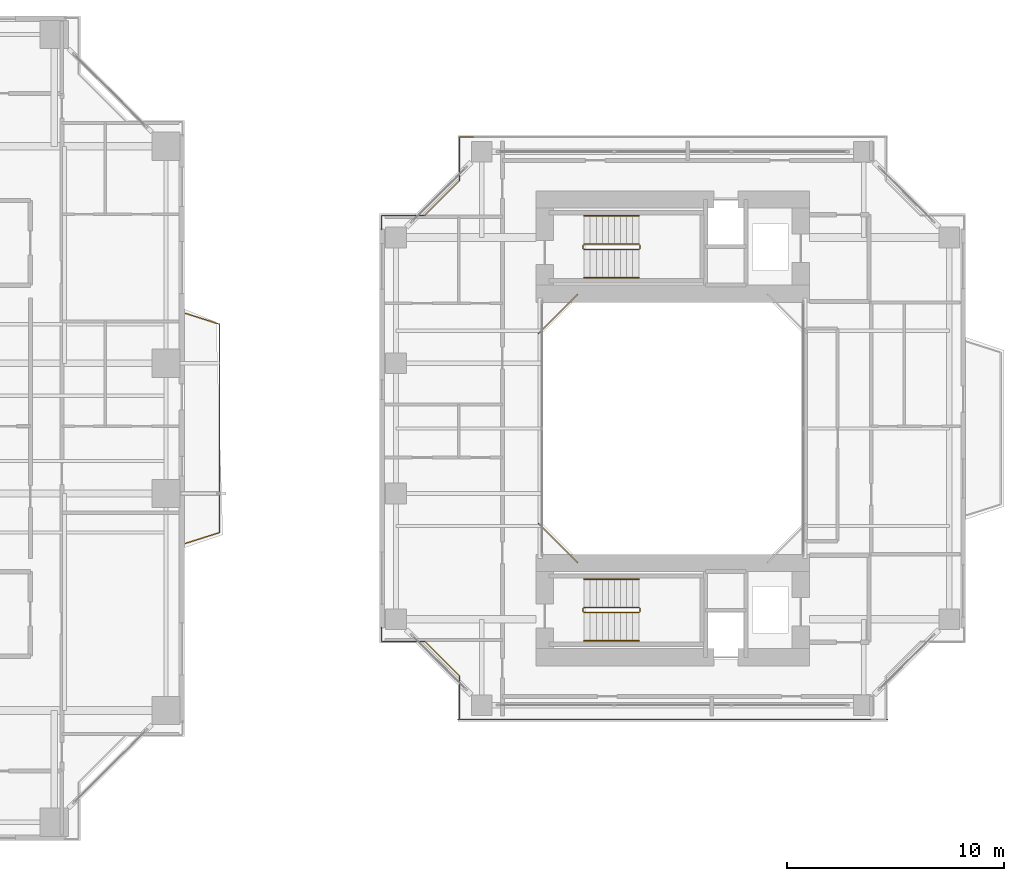
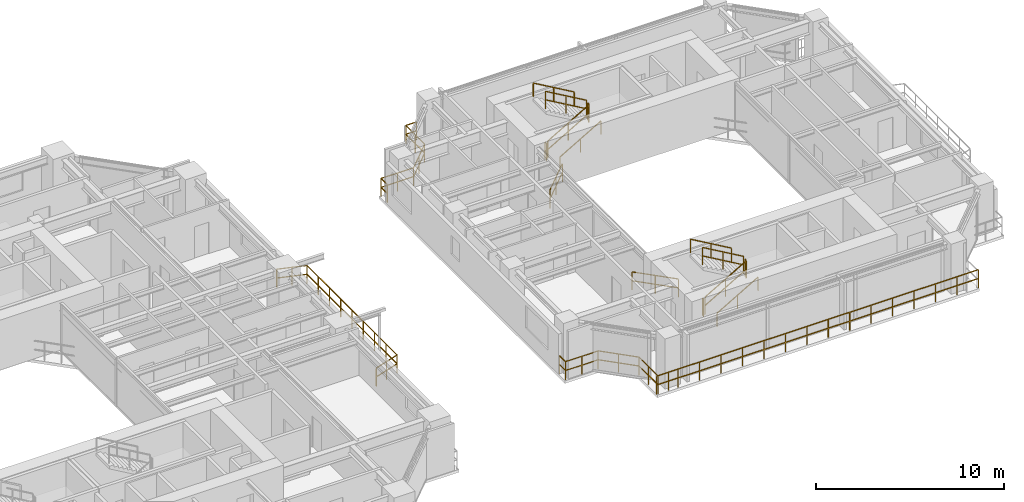
# One storey, part 22 of 23: 18 railings.
"""IFC4 building model written with IfcOpenShell, lengths in metres."""

from ifc_helpers import new_model, si_unit, direction, frame, origin, origin_2d, place, context, subcontext, project, spatial, rectangle, extrude, material, type_object, element, save


model = new_model("IFC4")

# Units and contexts
model_context = context("Model", 3, precision=1e-05, world=origin(), true_north=direction((0.0, 1.0)))
body_context = subcontext(model_context, "Body", "Model", "MODEL_VIEW")
ifc_project = project(units=[si_unit("LENGTHUNIT", "METRE"), si_unit("AREAUNIT", "SQUARE_METRE"), si_unit("VOLUMEUNIT", "CUBIC_METRE"), si_unit("PLANEANGLEUNIT", "RADIAN"), si_unit("MASSUNIT", "GRAM", prefix="KILO"), si_unit("THERMODYNAMICTEMPERATUREUNIT", "KELVIN"), si_unit("POWERUNIT", "WATT")], contexts=[model_context])

# Site, building, storey
site_placement = place(None, origin())
site = spatial("IfcSite", under=ifc_project, at=site_placement, CompositionType="ELEMENT")
building_placement = place(site_placement, origin())
building = spatial("IfcBuilding", under=site, at=building_placement, Name="Qiaomeng Ring Towers", CompositionType="ELEMENT")
storey_placement = place(building_placement, frame((0.0, 0.0, 39.25)))
storey = spatial("IfcBuildingStorey", under=building, at=storey_placement, Name="L10", CompositionType="ELEMENT", Elevation=39.25)

# Railings
ifc_material_1 = material(Name="Low-E pale-green laminated safety glass", Category="glass")
railing_type_1 = type_object("IfcRailingType", Name="ARC-RL-BAL1", PredefinedType="BALUSTRADE", material=ifc_material_1)
railing_1_placement = place(storey_placement, frame((38.050048828125, 17.699951171875, 0.0)))
element("IfcRailing", 1, at=railing_1_placement, inside=storey, type_object=railing_type_1, Name="L10 Balustrade ARC-BAL-L10-T1-E", PredefinedType="BALUSTRADE", context=body_context, shape_type="SweptSolid", body=[
    extrude(rectangle(XDim=0.048095703125, YDim=0.048095703125, at=origin_2d()), frame((0.0, 0.0, 1.17578125), z_axis=(0.952849860715, 0.303442157479, 0.0), x_axis=(-0.303442157479, 0.952849860715, 0.0)), (0.0, 0.0, 1.0), 1.647705078125),
    extrude(rectangle(XDim=0.048095703125, YDim=0.048095703125, at=origin_2d()), frame((0.0, 0.0, 0.60009765625), z_axis=(0.952849860715, 0.303442157479, 0.0), x_axis=(-0.303442157479, 0.952849860715, 0.0)), (0.0, 0.0, 1.0), 1.647705078125),
    extrude(rectangle(XDim=0.048095703125, YDim=0.048095703125, at=origin_2d()), frame((1.570068359375, 0.5, 1.17578125), z_axis=(0.0, 1.0, 0.0), x_axis=(-1.0, 0.0, 0.0)), (0.0, 0.0, 1.0), 9.60009765625),
    extrude(rectangle(XDim=0.048095703125, YDim=0.048095703125, at=origin_2d()), frame((1.570068359375, 0.5, 0.60009765625), z_axis=(0.0, 1.0, 0.0), x_axis=(-1.0, 0.0, 0.0)), (0.0, 0.0, 1.0), 9.60009765625),
    extrude(rectangle(XDim=0.048095703125, YDim=0.048095703125, at=origin_2d()), frame((1.570068359375, 10.10009765625, 1.17578125), z_axis=(-0.952849860715, 0.303442157479, 0.0), x_axis=(-0.303442157479, -0.952849860715, 0.0)), (0.0, 0.0, 1.0), 1.647705078125),
    extrude(rectangle(XDim=0.048095703125, YDim=0.048095703125, at=origin_2d()), frame((1.570068359375, 10.10009765625, 0.60009765625), z_axis=(-0.952849860715, 0.303442157479, 0.0), x_axis=(-0.303442157479, -0.952849860715, 0.0)), (0.0, 0.0, 1.0), 1.647705078125),
    extrude(rectangle(XDim=0.0419921875, YDim=0.0419921875, at=origin_2d()), origin(), (0.0, 0.0, 1.0), 1.15185546875),
    extrude(rectangle(XDim=0.0419921875, YDim=0.0419921875, at=origin_2d()), frame((0.78515625, 0.25, 0.0)), (0.0, 0.0, 1.0), 1.15185546875),
    extrude(rectangle(XDim=0.0419921875, YDim=0.0419921875, at=origin_2d()), frame((1.570068359375, 0.5, 0.0)), (0.0, 0.0, 1.0), 1.15185546875),
    extrude(rectangle(XDim=0.0419921875, YDim=0.0419921875, at=origin_2d()), frame((1.570068359375, 1.699951171875, 0.0)), (0.0, 0.0, 1.0), 1.15185546875),
    extrude(rectangle(XDim=0.0419921875, YDim=0.0419921875, at=origin_2d()), frame((1.570068359375, 2.89990234375, 0.0)), (0.0, 0.0, 1.0), 1.15185546875),
    extrude(rectangle(XDim=0.0419921875, YDim=0.0419921875, at=origin_2d()), frame((1.570068359375, 4.10009765625, 0.0)), (0.0, 0.0, 1.0), 1.15185546875),
    extrude(rectangle(XDim=0.0419921875, YDim=0.0419921875, at=origin_2d()), frame((1.570068359375, 5.300048828125, 0.0)), (0.0, 0.0, 1.0), 1.15185546875),
    extrude(rectangle(XDim=0.0419921875, YDim=0.0419921875, at=origin_2d()), frame((1.570068359375, 6.5, 0.0)), (0.0, 0.0, 1.0), 1.15185546875),
    extrude(rectangle(XDim=0.0419921875, YDim=0.0419921875, at=origin_2d()), frame((1.570068359375, 7.7001953125, 0.0)), (0.0, 0.0, 1.0), 1.15185546875),
    extrude(rectangle(XDim=0.0419921875, YDim=0.0419921875, at=origin_2d()), frame((1.570068359375, 8.900146484375, 0.0)), (0.0, 0.0, 1.0), 1.15185546875),
    extrude(rectangle(XDim=0.0419921875, YDim=0.0419921875, at=origin_2d()), frame((1.570068359375, 10.10009765625, 0.0)), (0.0, 0.0, 1.0), 1.15185546875),
    extrude(rectangle(XDim=0.0419921875, YDim=0.0419921875, at=origin_2d()), frame((0.78515625, 10.35009765625, 0.0)), (0.0, 0.0, 1.0), 1.15185546875),
    extrude(rectangle(XDim=0.0419921875, YDim=0.0419921875, at=origin_2d()), frame((0.0, 10.60009765625, 0.0)), (0.0, 0.0, 1.0), 1.15185546875),
])
railing_2_placement = place(storey_placement, frame((56.1201171875, 29.179931640625, 0.0)))
element("IfcRailing", 2, at=railing_2_placement, inside=storey, type_object=railing_type_1, Name="L10 Balustrade ARC-BAL-WELL2-L10-3", PredefinedType="BALUSTRADE", context=body_context, shape_type="SweptSolid", body=[
    extrude(rectangle(XDim=0.048095703125, YDim=0.048095703125, at=origin_2d()), frame((0.0, 0.0, 1.17578125), z_axis=(-0.707106781187, -0.707106781187, 0.0), x_axis=(0.707106781187, -0.707106781187, 0.0)), (0.0, 0.0, 1.0), 2.545654296875),
    extrude(rectangle(XDim=0.048095703125, YDim=0.048095703125, at=origin_2d()), frame((0.0, 0.0, 0.60009765625), z_axis=(-0.707106781187, -0.707106781187, 0.0), x_axis=(0.707106781187, -0.707106781187, 0.0)), (0.0, 0.0, 1.0), 2.545654296875),
    extrude(rectangle(XDim=0.0419921875, YDim=0.0419921875, at=origin_2d()), origin(), (0.0, 0.0, 1.0), 1.15185546875),
    extrude(rectangle(XDim=0.0419921875, YDim=0.0419921875, at=origin_2d()), frame((-0.89990234375, -0.89990234375, 0.0)), (0.0, 0.0, 1.0), 1.15185546875),
    extrude(rectangle(XDim=0.0419921875, YDim=0.0419921875, at=origin_2d()), frame((-1.800048828125, -1.800048828125, 0.0)), (0.0, 0.0, 1.0), 1.15185546875),
])
railing_3_placement = place(storey_placement, frame((54.320068359375, 18.6201171875, 0.0)))
element("IfcRailing", 3, at=railing_3_placement, inside=storey, type_object=railing_type_1, Name="L10 Balustrade ARC-BAL-WELL2-L10-4", PredefinedType="BALUSTRADE", context=body_context, shape_type="SweptSolid", body=[
    extrude(rectangle(XDim=0.048095703125, YDim=0.048095703125, at=origin_2d()), frame((0.0, 0.0, 1.17578125), z_axis=(0.707106781187, -0.707106781187, 0.0), x_axis=(0.707106781187, 0.707106781187, 0.0)), (0.0, 0.0, 1.0), 2.545654296875),
    extrude(rectangle(XDim=0.048095703125, YDim=0.048095703125, at=origin_2d()), frame((0.0, 0.0, 0.60009765625), z_axis=(0.707106781187, -0.707106781187, 0.0), x_axis=(0.707106781187, 0.707106781187, 0.0)), (0.0, 0.0, 1.0), 2.545654296875),
    extrude(rectangle(XDim=0.0419921875, YDim=0.0419921875, at=origin_2d()), origin(), (0.0, 0.0, 1.0), 1.15185546875),
    extrude(rectangle(XDim=0.0419921875, YDim=0.0419921875, at=origin_2d()), frame((0.89990234375, -0.89990234375, 0.0)), (0.0, 0.0, 1.0), 1.15185546875),
    extrude(rectangle(XDim=0.0419921875, YDim=0.0419921875, at=origin_2d()), frame((1.800048828125, -1.800048828125, 0.0)), (0.0, 0.0, 1.0), 1.15185546875),
])
railing_4_placement = place(storey_placement, frame((51.330078125, 36.419921875, 0.0)))
element("IfcRailing", 4, at=railing_4_placement, inside=storey, type_object=railing_type_1, Name="L10 Balustrade ARC-BAL-NOTCH2-L10-NW", PredefinedType="BALUSTRADE", context=body_context, shape_type="SweptSolid", body=[
    extrude(rectangle(XDim=0.048095703125, YDim=0.048095703125, at=origin_2d()), frame((0.0, 0.0, 1.17578125), z_axis=(-1.0, 0.0, 0.0), x_axis=(0.0, -1.0, 0.0)), (0.0, 0.0, 1.0), 0.650146484375),
    extrude(rectangle(XDim=0.048095703125, YDim=0.048095703125, at=origin_2d()), frame((0.0, 0.0, 0.60009765625), z_axis=(-1.0, 0.0, 0.0), x_axis=(0.0, -1.0, 0.0)), (0.0, 0.0, 1.0), 0.650146484375),
    extrude(rectangle(XDim=0.048095703125, YDim=0.048095703125, at=origin_2d()), frame((-0.650146484375, 0.0, 1.17578125), z_axis=(0.0, -1.0, 0.0), x_axis=(1.0, 0.0, 0.0)), (0.0, 0.0, 1.0), 2.0),
    extrude(rectangle(XDim=0.048095703125, YDim=0.048095703125, at=origin_2d()), frame((-0.650146484375, 0.0, 0.60009765625), z_axis=(0.0, -1.0, 0.0), x_axis=(1.0, 0.0, 0.0)), (0.0, 0.0, 1.0), 2.0),
    extrude(rectangle(XDim=0.048095703125, YDim=0.048095703125, at=origin_2d()), frame((-0.650146484375, -2.0, 1.17578125), z_axis=(-0.707106781187, -0.707106781187, 0.0), x_axis=(0.707106781187, -0.707106781187, 0.0)), (0.0, 0.0, 1.0), 2.262451171875),
    extrude(rectangle(XDim=0.048095703125, YDim=0.048095703125, at=origin_2d()), frame((-0.650146484375, -2.0, 0.60009765625), z_axis=(-0.707106781187, -0.707106781187, 0.0), x_axis=(0.707106781187, -0.707106781187, 0.0)), (0.0, 0.0, 1.0), 2.262451171875),
    extrude(rectangle(XDim=0.048095703125, YDim=0.048095703125, at=origin_2d()), frame((-2.25, -3.599853515625, 1.17578125), z_axis=(-1.0, 0.0, 0.0), x_axis=(0.0, -1.0, 0.0)), (0.0, 0.0, 1.0), 2.0),
    extrude(rectangle(XDim=0.048095703125, YDim=0.048095703125, at=origin_2d()), frame((-2.25, -3.599853515625, 0.60009765625), z_axis=(-1.0, 0.0, 0.0), x_axis=(0.0, -1.0, 0.0)), (0.0, 0.0, 1.0), 2.0),
    extrude(rectangle(XDim=0.048095703125, YDim=0.048095703125, at=origin_2d()), frame((-4.25, -3.599853515625, 1.17578125), z_axis=(0.0, -1.0, 0.0), x_axis=(1.0, 0.0, 0.0)), (0.0, 0.0, 1.0), 0.650146484375),
    extrude(rectangle(XDim=0.048095703125, YDim=0.048095703125, at=origin_2d()), frame((-4.25, -3.599853515625, 0.60009765625), z_axis=(0.0, -1.0, 0.0), x_axis=(1.0, 0.0, 0.0)), (0.0, 0.0, 1.0), 0.650146484375),
    extrude(rectangle(XDim=0.0419921875, YDim=0.0419921875, at=origin_2d()), origin(), (0.0, 0.0, 1.0), 1.15185546875),
    extrude(rectangle(XDim=0.0419921875, YDim=0.0419921875, at=origin_2d()), frame((-0.650146484375, 0.0, 0.0)), (0.0, 0.0, 1.0), 1.15185546875),
    extrude(rectangle(XDim=0.0419921875, YDim=0.0419921875, at=origin_2d()), frame((-0.650146484375, -1.0, 0.0)), (0.0, 0.0, 1.0), 1.15185546875),
    extrude(rectangle(XDim=0.0419921875, YDim=0.0419921875, at=origin_2d()), frame((-0.650146484375, -2.0, 0.0)), (0.0, 0.0, 1.0), 1.15185546875),
    extrude(rectangle(XDim=0.0419921875, YDim=0.0419921875, at=origin_2d()), frame((-1.4501953125, -2.7998046875, 0.0)), (0.0, 0.0, 1.0), 1.15185546875),
    extrude(rectangle(XDim=0.0419921875, YDim=0.0419921875, at=origin_2d()), frame((-2.25, -3.599853515625, 0.0)), (0.0, 0.0, 1.0), 1.15185546875),
    extrude(rectangle(XDim=0.0419921875, YDim=0.0419921875, at=origin_2d()), frame((-3.25, -3.599853515625, 0.0)), (0.0, 0.0, 1.0), 1.15185546875),
    extrude(rectangle(XDim=0.0419921875, YDim=0.0419921875, at=origin_2d()), frame((-4.25, -3.599853515625, 0.0)), (0.0, 0.0, 1.0), 1.15185546875),
    extrude(rectangle(XDim=0.0419921875, YDim=0.0419921875, at=origin_2d()), frame((-4.25, -4.25, 0.0)), (0.0, 0.0, 1.0), 1.15185546875),
])
railing_5_placement = place(storey_placement, frame((47.080078125, 13.830078125, 0.0)))
element("IfcRailing", 5, at=railing_5_placement, inside=storey, type_object=railing_type_1, Name="L10 Balustrade ARC-BAL-NOTCH2-L10-SW", PredefinedType="BALUSTRADE", context=body_context, shape_type="SweptSolid", body=[
    extrude(rectangle(XDim=0.048095703125, YDim=0.048095703125, at=origin_2d()), frame((0.0, 0.0, 1.17578125), z_axis=(0.0, -1.0, 0.0), x_axis=(1.0, 0.0, 0.0)), (0.0, 0.0, 1.0), 0.650146484375),
    extrude(rectangle(XDim=0.048095703125, YDim=0.048095703125, at=origin_2d()), frame((0.0, 0.0, 0.60009765625), z_axis=(0.0, -1.0, 0.0), x_axis=(1.0, 0.0, 0.0)), (0.0, 0.0, 1.0), 0.650146484375),
    extrude(rectangle(XDim=0.048095703125, YDim=0.048095703125, at=origin_2d()), frame((0.0, -0.650146484375, 1.17578125), z_axis=(1.0, 0.0, 0.0), x_axis=(0.0, 1.0, 0.0)), (0.0, 0.0, 1.0), 2.0),
    extrude(rectangle(XDim=0.048095703125, YDim=0.048095703125, at=origin_2d()), frame((0.0, -0.650146484375, 0.60009765625), z_axis=(1.0, 0.0, 0.0), x_axis=(0.0, 1.0, 0.0)), (0.0, 0.0, 1.0), 2.0),
    extrude(rectangle(XDim=0.048095703125, YDim=0.048095703125, at=origin_2d()), frame((2.0, -0.650146484375, 1.17578125), z_axis=(0.707106781187, -0.707106781187, 0.0), x_axis=(0.707106781187, 0.707106781187, 0.0)), (0.0, 0.0, 1.0), 2.262451171875),
    extrude(rectangle(XDim=0.048095703125, YDim=0.048095703125, at=origin_2d()), frame((2.0, -0.650146484375, 0.60009765625), z_axis=(0.707106781187, -0.707106781187, 0.0), x_axis=(0.707106781187, 0.707106781187, 0.0)), (0.0, 0.0, 1.0), 2.262451171875),
    extrude(rectangle(XDim=0.048095703125, YDim=0.048095703125, at=origin_2d()), frame((3.599853515625, -2.25, 1.17578125), z_axis=(0.0, -1.0, 0.0), x_axis=(1.0, 0.0, 0.0)), (0.0, 0.0, 1.0), 2.0),
    extrude(rectangle(XDim=0.048095703125, YDim=0.048095703125, at=origin_2d()), frame((3.599853515625, -2.25, 0.60009765625), z_axis=(0.0, -1.0, 0.0), x_axis=(1.0, 0.0, 0.0)), (0.0, 0.0, 1.0), 2.0),
    extrude(rectangle(XDim=0.048095703125, YDim=0.048095703125, at=origin_2d()), frame((3.599853515625, -4.25, 1.17578125), z_axis=(1.0, 0.0, 0.0), x_axis=(0.0, 1.0, 0.0)), (0.0, 0.0, 1.0), 0.650146484375),
    extrude(rectangle(XDim=0.048095703125, YDim=0.048095703125, at=origin_2d()), frame((3.599853515625, -4.25, 0.60009765625), z_axis=(1.0, 0.0, 0.0), x_axis=(0.0, 1.0, 0.0)), (0.0, 0.0, 1.0), 0.650146484375),
    extrude(rectangle(XDim=0.0419921875, YDim=0.0419921875, at=origin_2d()), origin(), (0.0, 0.0, 1.0), 1.15185546875),
    extrude(rectangle(XDim=0.0419921875, YDim=0.0419921875, at=origin_2d()), frame((0.0, -0.650146484375, 0.0)), (0.0, 0.0, 1.0), 1.15185546875),
    extrude(rectangle(XDim=0.0419921875, YDim=0.0419921875, at=origin_2d()), frame((1.0, -0.650146484375, 0.0)), (0.0, 0.0, 1.0), 1.15185546875),
    extrude(rectangle(XDim=0.0419921875, YDim=0.0419921875, at=origin_2d()), frame((2.0, -0.650146484375, 0.0)), (0.0, 0.0, 1.0), 1.15185546875),
    extrude(rectangle(XDim=0.0419921875, YDim=0.0419921875, at=origin_2d()), frame((2.7998046875, -1.4501953125, 0.0)), (0.0, 0.0, 1.0), 1.15185546875),
    extrude(rectangle(XDim=0.0419921875, YDim=0.0419921875, at=origin_2d()), frame((3.599853515625, -2.25, 0.0)), (0.0, 0.0, 1.0), 1.15185546875),
    extrude(rectangle(XDim=0.0419921875, YDim=0.0419921875, at=origin_2d()), frame((3.599853515625, -3.25, 0.0)), (0.0, 0.0, 1.0), 1.15185546875),
    extrude(rectangle(XDim=0.0419921875, YDim=0.0419921875, at=origin_2d()), frame((3.599853515625, -4.25, 0.0)), (0.0, 0.0, 1.0), 1.15185546875),
    extrude(rectangle(XDim=0.0419921875, YDim=0.0419921875, at=origin_2d()), frame((4.25, -4.25, 0.0)), (0.0, 0.0, 1.0), 1.15185546875),
])
railing_6_placement = place(storey_placement, frame((50.60009765625, 9.580078125, 0.0)))
element("IfcRailing", 6, at=railing_6_placement, inside=storey, type_object=railing_type_1, Name="L10 Balustrade ARC-BAL-T2S-L10", PredefinedType="BALUSTRADE", context=body_context, shape_type="SweptSolid", body=[
    extrude(rectangle(XDim=0.048095703125, YDim=0.048095703125, at=origin_2d()), frame((0.0, 0.0, 1.17578125), z_axis=(1.0, 0.0, 0.0), x_axis=(0.0, 1.0, 0.0)), (0.0, 0.0, 1.0), 19.7998046875),
    extrude(rectangle(XDim=0.048095703125, YDim=0.048095703125, at=origin_2d()), frame((0.0, 0.0, 0.60009765625), z_axis=(1.0, 0.0, 0.0), x_axis=(0.0, 1.0, 0.0)), (0.0, 0.0, 1.0), 19.7998046875),
    extrude(rectangle(XDim=0.0419921875, YDim=0.0419921875, at=origin_2d()), origin(), (0.0, 0.0, 1.0), 1.15185546875),
    extrude(rectangle(XDim=0.0419921875, YDim=0.0419921875, at=origin_2d()), frame((1.320068359375, 0.0, 0.0)), (0.0, 0.0, 1.0), 1.15185546875),
    extrude(rectangle(XDim=0.0419921875, YDim=0.0419921875, at=origin_2d()), frame((2.639892578125, 0.0, 0.0)), (0.0, 0.0, 1.0), 1.15185546875),
    extrude(rectangle(XDim=0.0419921875, YDim=0.0419921875, at=origin_2d()), frame((3.9599609375, 0.0, 0.0)), (0.0, 0.0, 1.0), 1.15185546875),
    extrude(rectangle(XDim=0.0419921875, YDim=0.0419921875, at=origin_2d()), frame((5.280029296875, 0.0, 0.0)), (0.0, 0.0, 1.0), 1.15185546875),
    extrude(rectangle(XDim=0.0419921875, YDim=0.0419921875, at=origin_2d()), frame((6.599853515625, 0.0, 0.0)), (0.0, 0.0, 1.0), 1.15185546875),
    extrude(rectangle(XDim=0.0419921875, YDim=0.0419921875, at=origin_2d()), frame((7.919921875, 0.0, 0.0)), (0.0, 0.0, 1.0), 1.15185546875),
    extrude(rectangle(XDim=0.0419921875, YDim=0.0419921875, at=origin_2d()), frame((9.239990234375, 0.0, 0.0)), (0.0, 0.0, 1.0), 1.15185546875),
    extrude(rectangle(XDim=0.0419921875, YDim=0.0419921875, at=origin_2d()), frame((10.559814453125, 0.0, 0.0)), (0.0, 0.0, 1.0), 1.15185546875),
    extrude(rectangle(XDim=0.0419921875, YDim=0.0419921875, at=origin_2d()), frame((11.8798828125, 0.0, 0.0)), (0.0, 0.0, 1.0), 1.15185546875),
    extrude(rectangle(XDim=0.0419921875, YDim=0.0419921875, at=origin_2d()), frame((13.199951171875, 0.0, 0.0)), (0.0, 0.0, 1.0), 1.15185546875),
    extrude(rectangle(XDim=0.0419921875, YDim=0.0419921875, at=origin_2d()), frame((14.519775390625, 0.0, 0.0)), (0.0, 0.0, 1.0), 1.15185546875),
    extrude(rectangle(XDim=0.0419921875, YDim=0.0419921875, at=origin_2d()), frame((15.83984375, 0.0, 0.0)), (0.0, 0.0, 1.0), 1.15185546875),
    extrude(rectangle(XDim=0.0419921875, YDim=0.0419921875, at=origin_2d()), frame((17.159912109375, 0.0, 0.0)), (0.0, 0.0, 1.0), 1.15185546875),
    extrude(rectangle(XDim=0.0419921875, YDim=0.0419921875, at=origin_2d()), frame((18.479736328125, 0.0, 0.0)), (0.0, 0.0, 1.0), 1.15185546875),
    extrude(rectangle(XDim=0.0419921875, YDim=0.0419921875, at=origin_2d()), frame((19.7998046875, 0.0, 0.0)), (0.0, 0.0, 1.0), 1.15185546875),
])
ifc_material_2 = material(Name="Galvanised steel", Category="steel")
railing_type_2 = type_object("IfcRailingType", Name="ARC-RL-GUARD", PredefinedType="GUARDRAIL", material=ifc_material_2)
railing_7_placement = place(storey_placement, frame((56.419921875, 31.25, 0.16259765625)))
element("IfcRailing", 7, at=railing_7_placement, inside=storey, type_object=railing_type_2, Name="L10 ST5 stair guard 1", PredefinedType="GUARDRAIL", context=body_context, shape_type="SweptSolid", body=[
    extrude(rectangle(XDim=0.048095703125, YDim=0.048095703125, at=origin_2d()), frame((0.0, 0.0, 1.1259765625), z_axis=(0.864913338283, 0.0, 0.50192122615), x_axis=(0.0, 1.0, 0.0)), (0.0, 0.0, 1.0), 2.91357421875),
    extrude(rectangle(XDim=0.048095703125, YDim=0.048095703125, at=origin_2d()), frame((0.0, 0.0, 0.574951171875), z_axis=(0.864913338283, 0.0, 0.50192122615), x_axis=(0.0, 1.0, 0.0)), (0.0, 0.0, 1.0), 2.91357421875),
    extrude(rectangle(XDim=0.0419921875, YDim=0.0419921875, at=origin_2d()), origin(), (0.0, 0.0, 1.0), 1.101806640625),
    extrude(rectangle(XDim=0.0419921875, YDim=0.0419921875, at=origin_2d()), frame((1.260009765625, 0.0, 0.731201171875)), (0.0, 0.0, 1.0), 1.101806640625),
    extrude(rectangle(XDim=0.0419921875, YDim=0.0419921875, at=origin_2d()), frame((2.52001953125, 0.0, 1.46240234375)), (0.0, 0.0, 1.0), 1.101806640625),
])
railing_8_placement = place(storey_placement, frame((58.989990234375, 31.300048828125, 1.625)))
element("IfcRailing", 8, at=railing_8_placement, inside=storey, type_object=railing_type_2, Name="L10 ST5 stair guard 2", PredefinedType="GUARDRAIL", context=body_context, shape_type="SweptSolid", body=[
    extrude(rectangle(XDim=0.048095703125, YDim=0.048095703125, at=origin_2d()), frame((0.0, 0.0, 1.1259765625), z_axis=(0.0, 1.0, 0.0), x_axis=(-1.0, 0.0, 0.0)), (0.0, 0.0, 1.0), 0.139892578125),
    extrude(rectangle(XDim=0.048095703125, YDim=0.048095703125, at=origin_2d()), frame((0.0, 0.0, 0.574951171875), z_axis=(0.0, 1.0, 0.0), x_axis=(-1.0, 0.0, 0.0)), (0.0, 0.0, 1.0), 0.139892578125),
    extrude(rectangle(XDim=0.0419921875, YDim=0.0419921875, at=origin_2d()), origin(), (0.0, 0.0, 1.0), 1.101806640625),
    extrude(rectangle(XDim=0.0419921875, YDim=0.0419921875, at=origin_2d()), frame((0.0, 0.139892578125, 0.0)), (0.0, 0.0, 1.0), 1.101806640625),
])
railing_9_placement = place(storey_placement, frame((58.93994140625, 31.489990234375, 1.78759765625)))
element("IfcRailing", 9, at=railing_9_placement, inside=storey, type_object=railing_type_2, Name="L10 ST5 stair guard 3", PredefinedType="GUARDRAIL", context=body_context, shape_type="SweptSolid", body=[
    extrude(rectangle(XDim=0.048095703125, YDim=0.048095703125, at=origin_2d()), frame((0.0, 0.0, 1.1259765625), z_axis=(-0.864913338283, 0.0, 0.50192122615), x_axis=(0.0, -1.0, 0.0)), (0.0, 0.0, 1.0), 2.91357421875),
    extrude(rectangle(XDim=0.048095703125, YDim=0.048095703125, at=origin_2d()), frame((0.0, 0.0, 0.574951171875), z_axis=(-0.864913338283, 0.0, 0.50192122615), x_axis=(0.0, -1.0, 0.0)), (0.0, 0.0, 1.0), 2.91357421875),
    extrude(rectangle(XDim=0.0419921875, YDim=0.0419921875, at=origin_2d()), origin(), (0.0, 0.0, 1.0), 1.101806640625),
    extrude(rectangle(XDim=0.0419921875, YDim=0.0419921875, at=origin_2d()), frame((-1.260009765625, 0.0, 0.731201171875)), (0.0, 0.0, 1.0), 1.101806640625),
    extrude(rectangle(XDim=0.0419921875, YDim=0.0419921875, at=origin_2d()), frame((-2.52001953125, 0.0, 1.46240234375)), (0.0, 0.0, 1.0), 1.101806640625),
])
railing_10_placement = place(storey_placement, frame((56.3701171875, 31.300048828125, 0.0)))
element("IfcRailing", 10, at=railing_10_placement, inside=storey, type_object=railing_type_2, Name="L10 ST5 stair guard 4", PredefinedType="GUARDRAIL", context=body_context, shape_type="SweptSolid", body=[
    extrude(rectangle(XDim=0.048095703125, YDim=0.048095703125, at=origin_2d()), frame((0.0, 0.0, 1.1259765625), z_axis=(0.0, 1.0, 0.0), x_axis=(-1.0, 0.0, 0.0)), (0.0, 0.0, 1.0), 0.139892578125),
    extrude(rectangle(XDim=0.048095703125, YDim=0.048095703125, at=origin_2d()), frame((0.0, 0.0, 0.574951171875), z_axis=(0.0, 1.0, 0.0), x_axis=(-1.0, 0.0, 0.0)), (0.0, 0.0, 1.0), 0.139892578125),
    extrude(rectangle(XDim=0.0419921875, YDim=0.0419921875, at=origin_2d()), origin(), (0.0, 0.0, 1.0), 1.101806640625),
    extrude(rectangle(XDim=0.0419921875, YDim=0.0419921875, at=origin_2d()), frame((0.0, 0.139892578125, 0.0)), (0.0, 0.0, 1.0), 1.101806640625),
])
railing_11_placement = place(storey_placement, frame((56.419921875, 14.510009765625, 0.16259765625)))
element("IfcRailing", 11, at=railing_11_placement, inside=storey, type_object=railing_type_2, Name="L10 ST6 stair guard 1", PredefinedType="GUARDRAIL", context=body_context, shape_type="SweptSolid", body=[
    extrude(rectangle(XDim=0.048095703125, YDim=0.048095703125, at=origin_2d()), frame((0.0, 0.0, 1.1259765625), z_axis=(0.864913338283, 0.0, 0.50192122615), x_axis=(0.0, 1.0, 0.0)), (0.0, 0.0, 1.0), 2.91357421875),
    extrude(rectangle(XDim=0.048095703125, YDim=0.048095703125, at=origin_2d()), frame((0.0, 0.0, 0.574951171875), z_axis=(0.864913338283, 0.0, 0.50192122615), x_axis=(0.0, 1.0, 0.0)), (0.0, 0.0, 1.0), 2.91357421875),
    extrude(rectangle(XDim=0.0419921875, YDim=0.0419921875, at=origin_2d()), origin(), (0.0, 0.0, 1.0), 1.101806640625),
    extrude(rectangle(XDim=0.0419921875, YDim=0.0419921875, at=origin_2d()), frame((1.260009765625, 0.0, 0.731201171875)), (0.0, 0.0, 1.0), 1.101806640625),
    extrude(rectangle(XDim=0.0419921875, YDim=0.0419921875, at=origin_2d()), frame((2.52001953125, 0.0, 1.46240234375)), (0.0, 0.0, 1.0), 1.101806640625),
])
railing_12_placement = place(storey_placement, frame((58.989990234375, 14.56005859375, 1.625)))
element("IfcRailing", 12, at=railing_12_placement, inside=storey, type_object=railing_type_2, Name="L10 ST6 stair guard 2", PredefinedType="GUARDRAIL", context=body_context, shape_type="SweptSolid", body=[
    extrude(rectangle(XDim=0.048095703125, YDim=0.048095703125, at=origin_2d()), frame((0.0, 0.0, 1.1259765625), z_axis=(0.0, 1.0, 0.0), x_axis=(-1.0, 0.0, 0.0)), (0.0, 0.0, 1.0), 0.139892578125),
    extrude(rectangle(XDim=0.048095703125, YDim=0.048095703125, at=origin_2d()), frame((0.0, 0.0, 0.574951171875), z_axis=(0.0, 1.0, 0.0), x_axis=(-1.0, 0.0, 0.0)), (0.0, 0.0, 1.0), 0.139892578125),
    extrude(rectangle(XDim=0.0419921875, YDim=0.0419921875, at=origin_2d()), origin(), (0.0, 0.0, 1.0), 1.101806640625),
    extrude(rectangle(XDim=0.0419921875, YDim=0.0419921875, at=origin_2d()), frame((0.0, 0.139892578125, 0.0)), (0.0, 0.0, 1.0), 1.101806640625),
])
railing_13_placement = place(storey_placement, frame((58.93994140625, 14.75, 1.78759765625)))
element("IfcRailing", 13, at=railing_13_placement, inside=storey, type_object=railing_type_2, Name="L10 ST6 stair guard 3", PredefinedType="GUARDRAIL", context=body_context, shape_type="SweptSolid", body=[
    extrude(rectangle(XDim=0.048095703125, YDim=0.048095703125, at=origin_2d()), frame((0.0, 0.0, 1.1259765625), z_axis=(-0.864913338283, 0.0, 0.50192122615), x_axis=(0.0, -1.0, 0.0)), (0.0, 0.0, 1.0), 2.91357421875),
    extrude(rectangle(XDim=0.048095703125, YDim=0.048095703125, at=origin_2d()), frame((0.0, 0.0, 0.574951171875), z_axis=(-0.864913338283, 0.0, 0.50192122615), x_axis=(0.0, -1.0, 0.0)), (0.0, 0.0, 1.0), 2.91357421875),
    extrude(rectangle(XDim=0.0419921875, YDim=0.0419921875, at=origin_2d()), origin(), (0.0, 0.0, 1.0), 1.101806640625),
    extrude(rectangle(XDim=0.0419921875, YDim=0.0419921875, at=origin_2d()), frame((-1.260009765625, 0.0, 0.731201171875)), (0.0, 0.0, 1.0), 1.101806640625),
    extrude(rectangle(XDim=0.0419921875, YDim=0.0419921875, at=origin_2d()), frame((-2.52001953125, 0.0, 1.46240234375)), (0.0, 0.0, 1.0), 1.101806640625),
])
railing_14_placement = place(storey_placement, frame((56.3701171875, 14.56005859375, 0.0)))
element("IfcRailing", 14, at=railing_14_placement, inside=storey, type_object=railing_type_2, Name="L10 ST6 stair guard 4", PredefinedType="GUARDRAIL", context=body_context, shape_type="SweptSolid", body=[
    extrude(rectangle(XDim=0.048095703125, YDim=0.048095703125, at=origin_2d()), frame((0.0, 0.0, 1.1259765625), z_axis=(0.0, 1.0, 0.0), x_axis=(-1.0, 0.0, 0.0)), (0.0, 0.0, 1.0), 0.139892578125),
    extrude(rectangle(XDim=0.048095703125, YDim=0.048095703125, at=origin_2d()), frame((0.0, 0.0, 0.574951171875), z_axis=(0.0, 1.0, 0.0), x_axis=(-1.0, 0.0, 0.0)), (0.0, 0.0, 1.0), 0.139892578125),
    extrude(rectangle(XDim=0.0419921875, YDim=0.0419921875, at=origin_2d()), origin(), (0.0, 0.0, 1.0), 1.101806640625),
    extrude(rectangle(XDim=0.0419921875, YDim=0.0419921875, at=origin_2d()), frame((0.0, 0.139892578125, 0.0)), (0.0, 0.0, 1.0), 1.101806640625),
])
ifc_material_3 = material(Name="Stainless steel 316", Category="steel")
railing_type_3 = type_object("IfcRailingType", Name="ARC-RL-HAND", PredefinedType="HANDRAIL", material=ifc_material_3)
railing_15_placement = place(storey_placement, frame((56.419921875, 29.949951171875, 0.16259765625)))
element("IfcRailing", 15, at=railing_15_placement, inside=storey, type_object=railing_type_3, Name="L10 ST5 stair handrail 1", PredefinedType="HANDRAIL", context=body_context, shape_type="SweptSolid", body=[
    extrude(rectangle(XDim=0.048095703125, YDim=0.048095703125, at=origin_2d()), frame((0.0, 0.0, 0.8759765625), z_axis=(0.864913338283, 0.0, 0.50192122615), x_axis=(0.0, 1.0, 0.0)), (0.0, 0.0, 1.0), 2.91357421875),
    extrude(rectangle(XDim=0.0419921875, YDim=0.0419921875, at=origin_2d()), origin(), (0.0, 0.0, 1.0), 0.851806640625),
    extrude(rectangle(XDim=0.0419921875, YDim=0.0419921875, at=origin_2d()), frame((1.260009765625, 0.0, 0.731201171875)), (0.0, 0.0, 1.0), 0.851806640625),
    extrude(rectangle(XDim=0.0419921875, YDim=0.0419921875, at=origin_2d()), frame((2.52001953125, 0.0, 1.46240234375)), (0.0, 0.0, 1.0), 0.851806640625),
])
railing_16_placement = place(storey_placement, frame((58.93994140625, 32.7900390625, 1.78759765625)))
element("IfcRailing", 16, at=railing_16_placement, inside=storey, type_object=railing_type_3, Name="L10 ST5 stair handrail 2", PredefinedType="HANDRAIL", context=body_context, shape_type="SweptSolid", body=[
    extrude(rectangle(XDim=0.048095703125, YDim=0.048095703125, at=origin_2d()), frame((0.0, 0.0, 0.8759765625), z_axis=(-0.864913338283, 0.0, 0.50192122615), x_axis=(0.0, -1.0, 0.0)), (0.0, 0.0, 1.0), 2.91357421875),
    extrude(rectangle(XDim=0.0419921875, YDim=0.0419921875, at=origin_2d()), origin(), (0.0, 0.0, 1.0), 0.851806640625),
    extrude(rectangle(XDim=0.0419921875, YDim=0.0419921875, at=origin_2d()), frame((-1.260009765625, 0.0, 0.731201171875)), (0.0, 0.0, 1.0), 0.851806640625),
    extrude(rectangle(XDim=0.0419921875, YDim=0.0419921875, at=origin_2d()), frame((-2.52001953125, 0.0, 1.46240234375)), (0.0, 0.0, 1.0), 0.851806640625),
])
railing_17_placement = place(storey_placement, frame((56.419921875, 13.2099609375, 0.16259765625)))
element("IfcRailing", 17, at=railing_17_placement, inside=storey, type_object=railing_type_3, Name="L10 ST6 stair handrail 1", PredefinedType="HANDRAIL", context=body_context, shape_type="SweptSolid", body=[
    extrude(rectangle(XDim=0.048095703125, YDim=0.048095703125, at=origin_2d()), frame((0.0, 0.0, 0.8759765625), z_axis=(0.864913338283, 0.0, 0.50192122615), x_axis=(0.0, 1.0, 0.0)), (0.0, 0.0, 1.0), 2.91357421875),
    extrude(rectangle(XDim=0.0419921875, YDim=0.0419921875, at=origin_2d()), origin(), (0.0, 0.0, 1.0), 0.851806640625),
    extrude(rectangle(XDim=0.0419921875, YDim=0.0419921875, at=origin_2d()), frame((1.260009765625, 0.0, 0.731201171875)), (0.0, 0.0, 1.0), 0.851806640625),
    extrude(rectangle(XDim=0.0419921875, YDim=0.0419921875, at=origin_2d()), frame((2.52001953125, 0.0, 1.46240234375)), (0.0, 0.0, 1.0), 0.851806640625),
])
railing_18_placement = place(storey_placement, frame((58.93994140625, 16.050048828125, 1.78759765625)))
element("IfcRailing", 18, at=railing_18_placement, inside=storey, type_object=railing_type_3, Name="L10 ST6 stair handrail 2", PredefinedType="HANDRAIL", context=body_context, shape_type="SweptSolid", body=[
    extrude(rectangle(XDim=0.048095703125, YDim=0.048095703125, at=origin_2d()), frame((0.0, 0.0, 0.8759765625), z_axis=(-0.864913338283, 0.0, 0.50192122615), x_axis=(0.0, -1.0, 0.0)), (0.0, 0.0, 1.0), 2.91357421875),
    extrude(rectangle(XDim=0.0419921875, YDim=0.0419921875, at=origin_2d()), origin(), (0.0, 0.0, 1.0), 0.851806640625),
    extrude(rectangle(XDim=0.0419921875, YDim=0.0419921875, at=origin_2d()), frame((-1.260009765625, 0.0, 0.731201171875)), (0.0, 0.0, 1.0), 0.851806640625),
    extrude(rectangle(XDim=0.0419921875, YDim=0.0419921875, at=origin_2d()), frame((-2.52001953125, 0.0, 1.46240234375)), (0.0, 0.0, 1.0), 0.851806640625),
])

save(model, "model.ifc")
